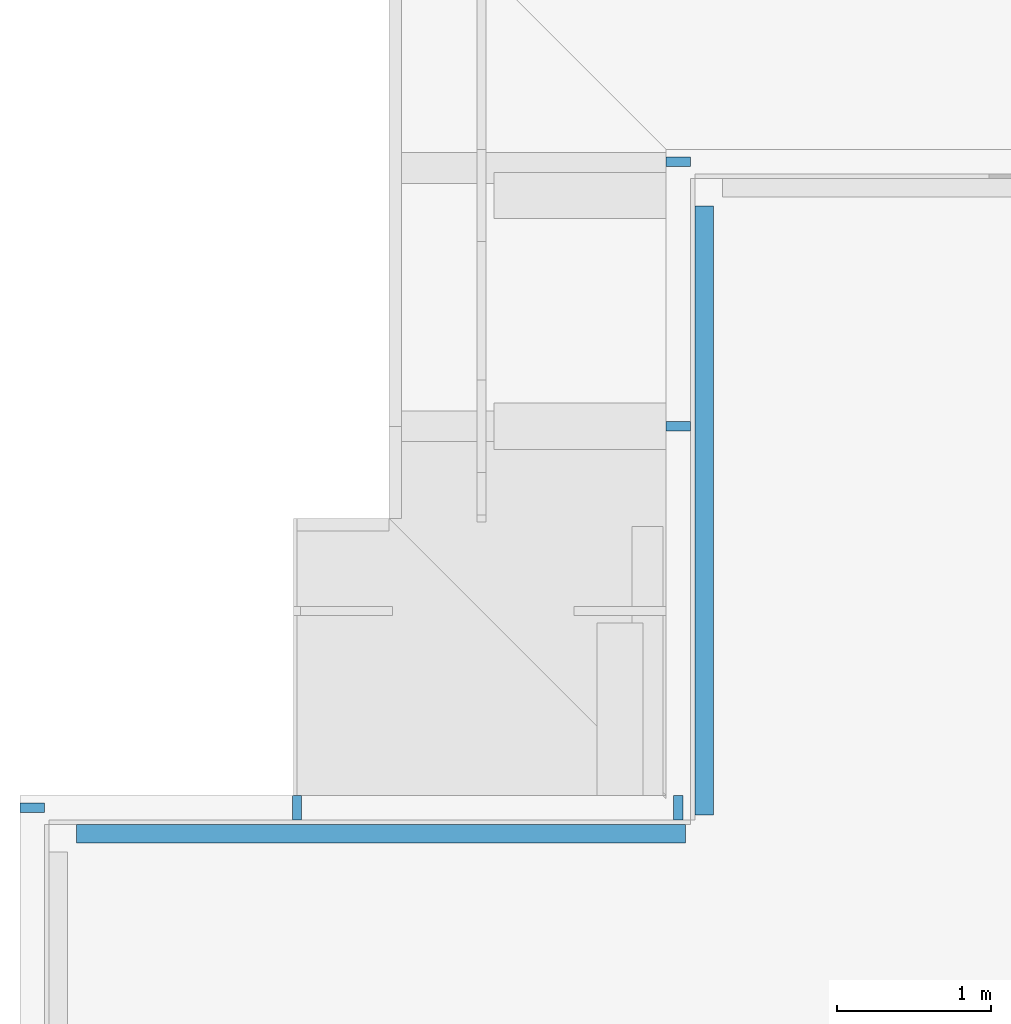
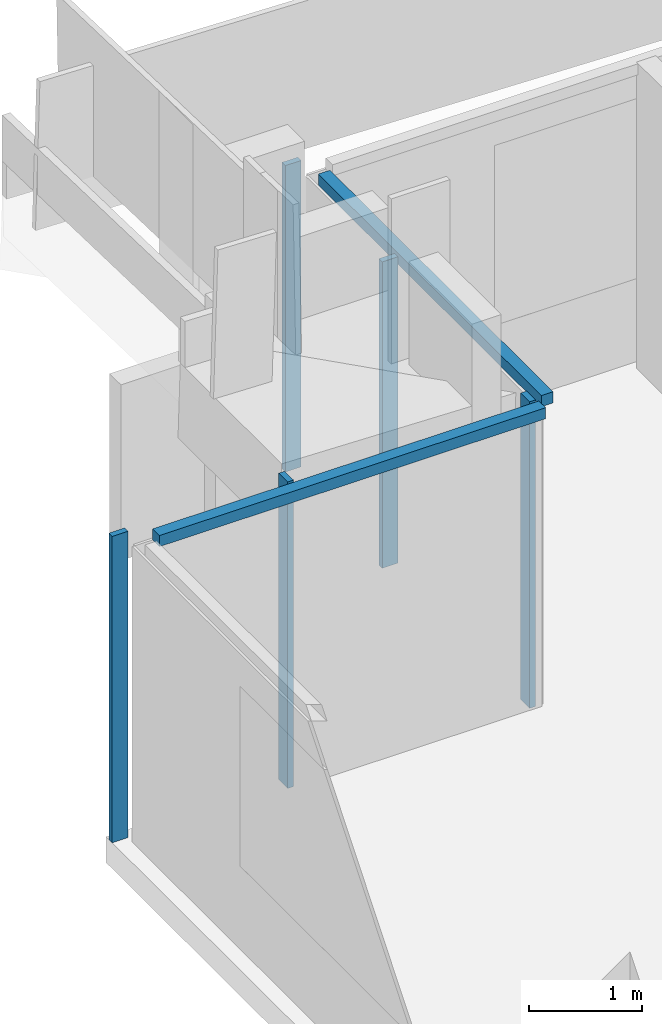
# One storey, part 7 of 21: 7 members, 3 elements without a shape of their own.
"""IFC4 building model written with IfcOpenShell, lengths in metres."""

from ifc_helpers import new_model, si_unit, direction, frame, origin, origin_2d, place, context, subcontext, project, spatial, rectangle, extrude, material, material_profile, profile_set, type_object, element, aggregate, save


model = new_model("IFC4")

# Units and contexts
model_context = context("Model", 3, precision=1e-05, world=origin(), true_north=direction((0.0, 1.0)))
body_context = subcontext(model_context, "Body", "Model", "MODEL_VIEW")
ifc_project = project(units=[si_unit("LENGTHUNIT", "METRE"), si_unit("AREAUNIT", "SQUARE_METRE"), si_unit("VOLUMEUNIT", "CUBIC_METRE"), si_unit("PLANEANGLEUNIT", "RADIAN"), si_unit("MASSUNIT", "GRAM", prefix="KILO")], contexts=[model_context])

# Site, building, storey
site_placement = place(None, origin())
site = spatial("IfcSite", under=ifc_project, at=site_placement, CompositionType="ELEMENT")
building_placement = place(site_placement, origin())
building = spatial("IfcBuilding", under=site, at=building_placement, Name="Saffron Gate Tower", CompositionType="ELEMENT")
storey_placement = place(building_placement, frame((0.0, 0.0, 299.550048828125)))
storey = spatial("IfcBuildingStorey", under=building, at=storey_placement, Name="L73", CompositionType="ELEMENT", Elevation=299.550048828125)

# Curtain wall, member
ifc_material = material(Name="Aluminium, bronze anodised", Category="aluminium")
curtain_wall_type_1 = type_object("IfcCurtainWallType", Name="CWS2 curtain wall side facades", PredefinedType="NOTDEFINED", material=ifc_material)
curtain_wall_1_placement = place(storey_placement, origin())
curtain_wall_1 = element("IfcCurtainWall", 1, at=curtain_wall_1_placement, inside=storey, type_object=curtain_wall_type_1, Name="CWS2 run 10", PredefinedType="NOTDEFINED")
ifc_material_profile_1 = material_profile(ifc_material, rectangle(XDim=0.159912109375, YDim=0.06005859375, at=origin_2d()))
ifc_profile_set_1 = profile_set([ifc_material_profile_1], Name="Aluminium, bronze anodised")
member_type_1 = type_object("IfcMemberType", Name="CWS2 mullion 60x160", PredefinedType="MULLION", material=ifc_profile_set_1)
member_1_placement = place(storey_placement, frame((56.47998046875, 71.320068359375, 0.0), z_axis=(0.0, 0.0, 1.0), x_axis=(1.0, 0.0, 0.0)))
member_1 = element("IfcMember", 2, at=member_1_placement, type_object=member_type_1, Name="CWS2 mullion 1", PredefinedType="MULLION", context=body_context, shape_type="SweptSolid", body=[
    extrude(rectangle(XDim=0.159912109375, YDim=0.06005859375, at=origin_2d()), origin(), (0.0, 0.0, 1.0), 3.320068359375),
])
aggregate(curtain_wall_1, [member_1])

curtain_wall_type_2 = type_object("IfcCurtainWallType", Name="CWS4 curtain wall corner returns", PredefinedType="NOTDEFINED", material=ifc_material)
curtain_wall_2_placement = place(storey_placement, origin())
curtain_wall_2 = element("IfcCurtainWall", 3, at=curtain_wall_2_placement, inside=storey, type_object=curtain_wall_type_2, Name="CWS4 run 8", PredefinedType="NOTDEFINED")
ifc_material_profile_2 = material_profile(ifc_material, rectangle(XDim=0.1201171875, YDim=0.1201171875, at=origin_2d()))
ifc_profile_set_2 = profile_set([ifc_material_profile_2], Name="Aluminium, bronze anodised")
member_type_2 = type_object("IfcMemberType", Name="CWS4 head transom", PredefinedType="USERDEFINED", material=ifc_profile_set_2)
member_2_placement = place(storey_placement, frame((60.847900390625, 75.23193359375, 3.260009765625), z_axis=(0.0, -1.0, 0.0), x_axis=(1.0, 0.0, 0.0)))
member_2 = element("IfcMember", 4, at=member_2_placement, type_object=member_type_2, Name="CWS4 head transom", ObjectType="TRANSOM", PredefinedType="USERDEFINED", context=body_context, shape_type="SweptSolid", body=[
    extrude(rectangle(XDim=0.1201171875, YDim=0.1201171875, at=origin_2d()), origin(), (0.0, 0.0, 1.0), 3.9599609375),
])

curtain_wall_3_placement = place(storey_placement, origin())
curtain_wall_3 = element("IfcCurtainWall", 5, at=curtain_wall_3_placement, inside=storey, type_object=curtain_wall_type_2, Name="CWS4 run 9", PredefinedType="NOTDEFINED")
member_3_placement = place(storey_placement, frame((60.72802734375, 71.152099609375, 3.260009765625), z_axis=(-1.0, 0.0, 0.0), x_axis=(0.0, -1.0, 0.0)))
member_3 = element("IfcMember", 6, at=member_3_placement, type_object=member_type_2, Name="CWS4 head transom", ObjectType="TRANSOM", PredefinedType="USERDEFINED", context=body_context, shape_type="SweptSolid", body=[
    extrude(rectangle(XDim=0.1201171875, YDim=0.1201171875, at=origin_2d()), origin(), (0.0, 0.0, 1.0), 3.9599609375),
])

# Member
ifc_material_profile_3 = material_profile(ifc_material, rectangle(XDim=0.159912109375, YDim=0.06005859375, at=origin_2d()))
ifc_profile_set_3 = profile_set([ifc_material_profile_3], Name="Aluminium, bronze anodised")
member_type_3 = type_object("IfcMemberType", Name="CWS4 mullion 60x160", PredefinedType="MULLION", material=ifc_profile_set_3)
member_4_placement = place(storey_placement, frame((60.679931640625, 75.52001953125, 0.0), z_axis=(0.0, 0.0, 1.0), x_axis=(1.0, 0.0, 0.0)))
member_4 = element("IfcMember", 7, at=member_4_placement, type_object=member_type_3, Name="CWS4 mullion 1", PredefinedType="MULLION", context=body_context, shape_type="SweptSolid", body=[
    extrude(rectangle(XDim=0.159912109375, YDim=0.06005859375, at=origin_2d()), origin(), (0.0, 0.0, 1.0), 3.320068359375),
])

member_5_placement = place(storey_placement, frame((60.679931640625, 73.800048828125, 0.0), z_axis=(0.0, 0.0, 1.0), x_axis=(1.0, 0.0, 0.0)))
member_5 = element("IfcMember", 8, at=member_5_placement, type_object=member_type_3, Name="CWS4 mullion 2", PredefinedType="MULLION", context=body_context, shape_type="SweptSolid", body=[
    extrude(rectangle(XDim=0.159912109375, YDim=0.06005859375, at=origin_2d()), origin(), (0.0, 0.0, 1.0), 3.320068359375),
])

aggregate(curtain_wall_2, [member_4, member_5, member_2])

member_6_placement = place(storey_placement, frame((60.679931640625, 71.320068359375, 0.0), z_axis=(0.0, 0.0, 1.0), x_axis=(0.0, -1.0, 0.0)))
member_6 = element("IfcMember", 9, at=member_6_placement, type_object=member_type_3, Name="CWS4 mullion 1", PredefinedType="MULLION", context=body_context, shape_type="SweptSolid", body=[
    extrude(rectangle(XDim=0.159912109375, YDim=0.06005859375, at=origin_2d()), origin(), (0.0, 0.0, 1.0), 3.320068359375),
])

member_7_placement = place(storey_placement, frame((58.199951171875, 71.320068359375, 0.0), z_axis=(0.0, 0.0, 1.0), x_axis=(0.0, -1.0, 0.0)))
member_7 = element("IfcMember", 10, at=member_7_placement, type_object=member_type_3, Name="CWS4 mullion 2", PredefinedType="MULLION", context=body_context, shape_type="SweptSolid", body=[
    extrude(rectangle(XDim=0.159912109375, YDim=0.06005859375, at=origin_2d()), origin(), (0.0, 0.0, 1.0), 3.320068359375),
])

aggregate(curtain_wall_3, [member_6, member_7, member_3])

save(model, "model.ifc")
